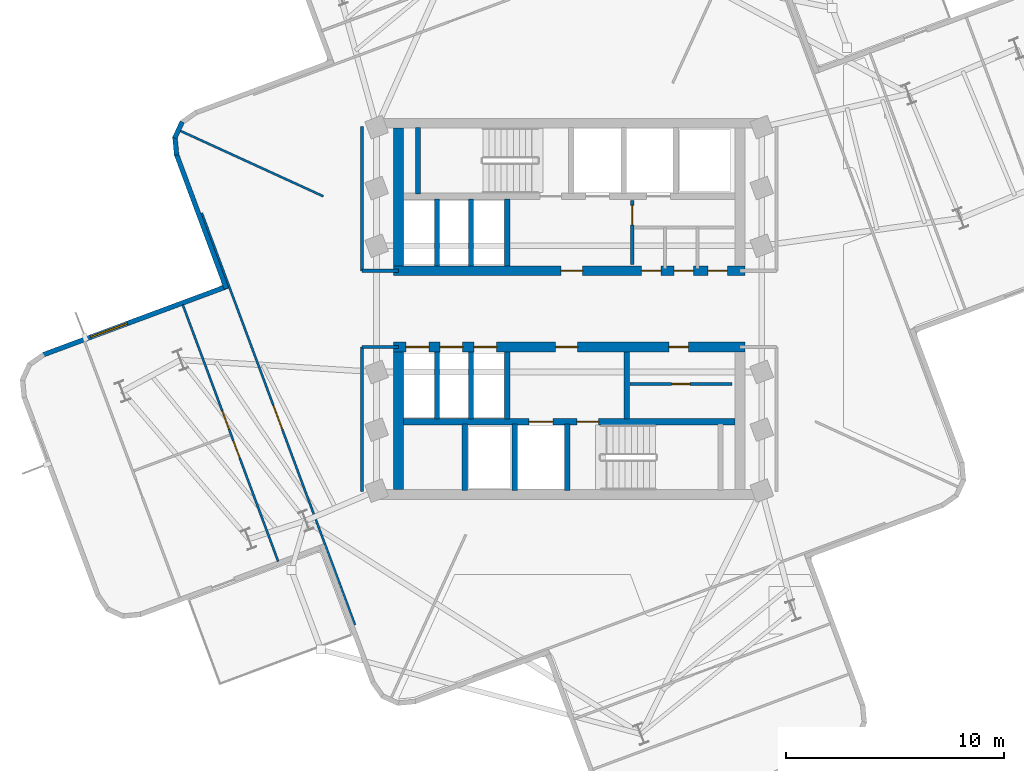
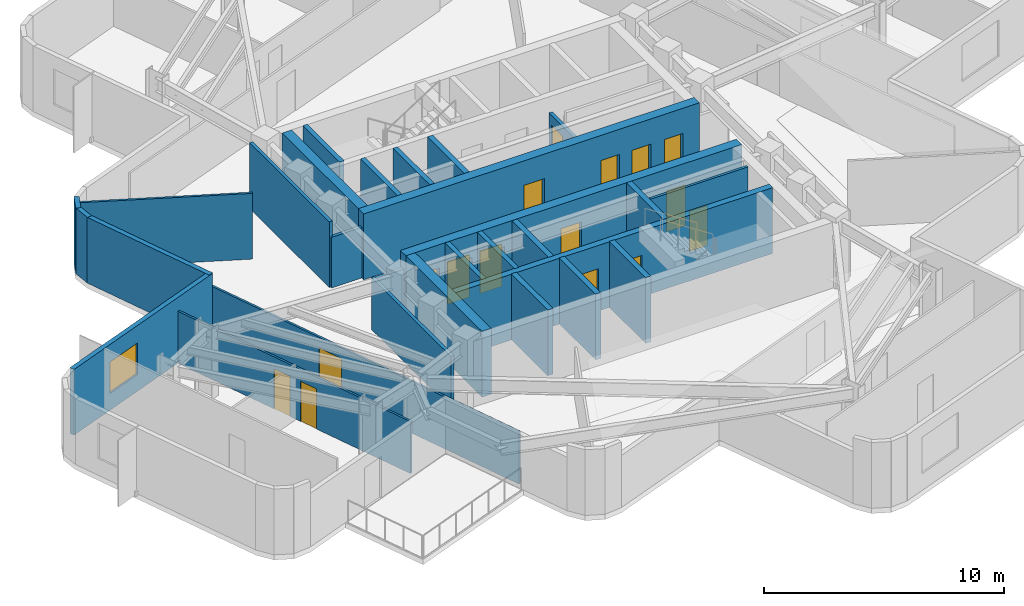
# One storey, part 3 of 8: 29 walls, 16 doors, 1 window, 17 openings.
"""IFC4 building model written with IfcOpenShell, lengths in metres."""

import ifcopenshell
import ifcopenshell.guid

model = None  # the IFC model being written
_history = None  # IfcOwnerHistory: only IFC2X3 demands one
_inside = {}  # id of a spatial element -> (the spatial element, [elements in it])
_under = {}  # id of a project, library or spatial element -> (it, [spatial elements below it])
_declared = {}  # id of a project -> (the project, [libraries it declares])
_typed = {}  # id of a type object -> (the type object, [elements of that type])
_made_of = {}  # id of a material, layer set ... -> (it, [elements and type objects made of it])


def new_model(schema):
    """Start an empty IFC model of exactly this schema.

    Asked for "IFC4X3", IfcOpenShell would pick the latest addendum, in which some entities
    have other attributes; the version numbers below select the first issue.
    IFC2X3 requires an IfcOwnerHistory on every rooted entity: one is made here for all.
    """
    global model, _history
    if schema == "IFC4X3":
        model = ifcopenshell.file(schema_version=(4, 3, 0, 0))
    else:
        model = ifcopenshell.file(schema=schema)
    _inside.clear()
    _under.clear()
    _declared.clear()
    _typed.clear()
    _made_of.clear()
    _history = None
    if model.schema == "IFC2X3":
        org = make("IfcOrganization", Name="unknown")
        user = make(
            "IfcPersonAndOrganization",
            ThePerson=make("IfcPerson", FamilyName="unknown"),
            TheOrganization=org,
        )
        app = make(
            "IfcApplication",
            ApplicationDeveloper=org,
            Version="unknown",
            ApplicationFullName="unknown",
            ApplicationIdentifier="unknown",
        )
        _history = make(
            "IfcOwnerHistory",
            OwningUser=user,
            OwningApplication=app,
            ChangeAction="ADDED",
            CreationDate=0,
        )
    return model


def make(cls, **values):
    """One entity of the class cls with the attributes given. An attribute that is None is left unset."""
    return model.create_entity(
        cls, **{name: value for name, value in values.items() if value is not None}
    )


def rooted(cls, **values):
    """An entity with a GlobalId (a new one), such as an element, a storey or a relation."""
    return make(cls, GlobalId=ifcopenshell.guid.new(), OwnerHistory=_history, **values)


def si_unit(unit_type, name, prefix=None):
    """IfcSIUnit, for example si_unit("LENGTHUNIT", "METRE", prefix="MILLI")."""
    return make("IfcSIUnit", UnitType=unit_type, Prefix=prefix, Name=name)


def assignment(units):
    """IfcUnitAssignment: the units of a project."""
    return None if units is None else make("IfcUnitAssignment", Units=units)


def point(xyz):
    """IfcCartesianPoint."""
    return None if xyz is None else make("IfcCartesianPoint", Coordinates=xyz)


def direction(xyz):
    """IfcDirection."""
    return None if xyz is None else make("IfcDirection", DirectionRatios=xyz)


def frame(location, z_axis=None, x_axis=None):
    """IfcAxis2Placement3D, a coordinate frame: its origin and axes. An axis left out is left unset."""
    return make(
        "IfcAxis2Placement3D",
        Location=point(location),
        Axis=direction(z_axis),
        RefDirection=direction(x_axis),
    )


def frame_2d(location, x_axis=None):
    """IfcAxis2Placement2D, a coordinate frame in the plane: its origin and x axis."""
    return make(
        "IfcAxis2Placement2D", Location=point(location), RefDirection=direction(x_axis)
    )


def origin():
    """The frame at (0, 0, 0) with its axes left unset."""
    return frame((0.0, 0.0, 0.0))


def place(relative_to, where):
    """IfcLocalPlacement: puts the frame where relative to a parent placement (None: the world)."""
    return make(
        "IfcLocalPlacement", PlacementRelTo=relative_to, RelativePlacement=where
    )


def context(
    kind, dimensions, precision=None, world=None, true_north=None, identifier=None
):
    """IfcGeometricRepresentationContext, for example the 3D "Model" context."""
    return make(
        "IfcGeometricRepresentationContext",
        ContextIdentifier=identifier,
        ContextType=kind,
        CoordinateSpaceDimension=dimensions,
        Precision=precision,
        WorldCoordinateSystem=world,
        TrueNorth=true_north,
    )


def subcontext(parent, identifier, kind, view, scale=None):
    """IfcGeometricRepresentationSubContext, for example "Body" below "Model"."""
    return make(
        "IfcGeometricRepresentationSubContext",
        ContextIdentifier=identifier,
        ContextType=kind,
        ParentContext=parent,
        TargetScale=scale,
        TargetView=view,
    )


def project(units=None, contexts=None):
    """IfcProject with its units and contexts."""
    return rooted(
        "IfcProject",
        Name="project",
        RepresentationContexts=contexts,
        UnitsInContext=assignment(units),
    )


def spatial(cls, under=None, at=None, **own):
    """A site, building, storey or space (cls), placed at a placement, below another one or the project."""
    s = rooted(cls, ObjectPlacement=at, **own)
    if under is not None:
        _under.setdefault(under.id(), (under, []))[1].append(s)
    return s


def profile(cls, at=None, kind="AREA", **sizes):
    """A parametric profile (cls). Its sizes go by their IFC names, for example OverallWidth=200.0."""
    return make(cls, ProfileType=kind, Position=at, **sizes)


def rectangle(**sizes):
    """IfcRectangleProfileDef."""
    return profile("IfcRectangleProfileDef", **sizes)


def extrude(swept, where, along, depth):
    """IfcExtrudedAreaSolid: the profile swept, set in the frame where, extruded along a direction by depth."""
    return make(
        "IfcExtrudedAreaSolid",
        SweptArea=swept,
        Position=where,
        ExtrudedDirection=direction(along),
        Depth=depth,
    )


def shape(context_of_items, identifier, shape_type, items):
    """IfcShapeRepresentation: the items that make up one representation, for example the "Body"."""
    return make(
        "IfcShapeRepresentation",
        ContextOfItems=context_of_items,
        RepresentationIdentifier=identifier,
        RepresentationType=shape_type,
        Items=items,
    )


def material(Name=None, Category=None):
    """IfcMaterial."""
    return make("IfcMaterial", Name=Name, Category=Category)


def layer(
    of_material, thickness, ventilated=None, Name=None, Category=None, Priority=None
):
    """IfcMaterialLayer: one layer of a wall or slab, of a material (None: an air gap)."""
    return make(
        "IfcMaterialLayer",
        Material=of_material,
        LayerThickness=thickness,
        IsVentilated=ventilated,
        Name=Name,
        Category=Category,
        Priority=Priority,
    )


def layer_set(layers, Name=None):
    """IfcMaterialLayerSet."""
    return make("IfcMaterialLayerSet", MaterialLayers=layers, LayerSetName=Name)


def made_of(thing, what):
    """Note that an element or type object is made of a material, layer set ...; save() writes the relation."""
    if what is not None:
        _made_of.setdefault(what.id(), (what, []))[1].append(thing)
    return thing


def type_object(cls, material=None, **own):
    """A type object (cls), such as IfcWallType, which elements share."""
    return made_of(rooted(cls, **own), material)


def element(
    cls,
    number,
    at=None,
    inside=None,
    cuts=None,
    type_object=None,
    material=None,
    context=None,
    identifier="Body",
    shape_type=None,
    held_by="IfcProductDefinitionShape",
    body=None,
    shapes=None,
    **own,
):
    """One element of the class cls, such as IfcWall. Its Tag is "e" and its number.

    at: its placement. inside: the storey or other place that contains it. cuts: it is an
    opening in that element (IfcRelVoidsElement). A single representation is given by context,
    identifier, shape_type and body (its items); several are given by shapes. held_by: the class
    of the entity that holds the representations. save() writes the other relations.
    """
    e = rooted(cls, Tag="e%d" % number, ObjectPlacement=at, **own)
    if body is not None:
        shapes = [shape(context, identifier, shape_type, body)]
    if shapes is not None:
        e.Representation = make(held_by, Representations=shapes)
    if inside is not None:
        _inside.setdefault(inside.id(), (inside, []))[1].append(e)
    if cuts is not None:
        rooted(
            "IfcRelVoidsElement", RelatingBuildingElement=cuts, RelatedOpeningElement=e
        )
    if type_object is not None:
        _typed.setdefault(type_object.id(), (type_object, []))[1].append(e)
    return made_of(e, material)


def fill(opening, filler):
    """IfcRelFillsElement: the door or window that sits in an opening."""
    return rooted(
        "IfcRelFillsElement",
        RelatingOpeningElement=opening,
        RelatedBuildingElement=filler,
    )


def aggregate(whole, parts):
    """IfcRelAggregates: a whole, such as a stair, and the parts it consists of."""
    return rooted("IfcRelAggregates", RelatingObject=whole, RelatedObjects=parts)


def save(model, path):
    """Write the relations noted so far, then the file.

    IfcRelAggregates (storeys below a building ...), IfcRelContainedInSpatialStructure (elements
    in a storey), IfcRelDefinesByType, IfcRelAssociatesMaterial and IfcRelDeclares: one each for
    every whole, place, type object, material and project.
    """
    for whole, parts in _under.values():
        aggregate(whole, parts)
    for where, things in _inside.values():
        rooted(
            "IfcRelContainedInSpatialStructure",
            RelatedElements=things,
            RelatingStructure=where,
        )
    for kind, things in _typed.values():
        rooted("IfcRelDefinesByType", RelatedObjects=things, RelatingType=kind)
    for what, things in _made_of.values():
        rooted("IfcRelAssociatesMaterial", RelatedObjects=things, RelatingMaterial=what)
    for by, libraries in _declared.values():
        rooted("IfcRelDeclares", RelatingContext=by, RelatedDefinitions=libraries)
    model.write(path)


model = new_model("IFC4")

# Units and contexts
model_context = context("Model", 3, precision=1e-05, world=origin(), true_north=direction((0.0, 1.0)))
body_context = subcontext(model_context, "Body", "Model", "MODEL_VIEW")
ifc_project = project(units=[si_unit("LENGTHUNIT", "METRE"), si_unit("AREAUNIT", "SQUARE_METRE"), si_unit("VOLUMEUNIT", "CUBIC_METRE"), si_unit("PLANEANGLEUNIT", "RADIAN"), si_unit("MASSUNIT", "GRAM", prefix="KILO")], contexts=[model_context])

# Site, building, storey
site_placement = place(None, origin())
site = spatial("IfcSite", under=ifc_project, at=site_placement, CompositionType="ELEMENT")
building_placement = place(site_placement, origin())
building = spatial("IfcBuilding", under=site, at=building_placement, Name="Solmarez Civic Tower", CompositionType="ELEMENT")
storey_placement = place(building_placement, frame((0.0, 0.0, 166.679931640625)))
storey = spatial("IfcBuildingStorey", under=building, at=storey_placement, Name="L44", CompositionType="ELEMENT", Elevation=166.679931640625)

# Wall, openings, doors
ifc_material_1 = material(Name="Concrete C50/60", Category="concrete")
ifc_layer_1 = layer(ifc_material_1, 0.449951171875)
ifc_layer_set_1 = layer_set([ifc_layer_1], Name="Concrete C50/60")
wall_type_1 = type_object("IfcWallType", Name="WALL-CORE-450", PredefinedType="SHEAR", material=ifc_layer_set_1)
wall_1_placement = place(storey_placement, frame((8.070068359375, 1.75, 0.0), z_axis=(0.0, 0.0, 1.0), x_axis=(-1.0, 0.0, 0.0)))
wall_1 = element("IfcWall", 1, at=wall_1_placement, inside=storey, type_object=wall_type_1, Name="L44 Split-Core Structural Wall NCW-S-L44", PredefinedType="SHEAR", context=body_context, shape_type="SweptSolid", body=[
    extrude(rectangle(XDim=16.14013671875, YDim=0.449951171875, at=frame_2d((8.070068359375, 0.0))), origin(), (0.0, 0.0, 1.0), 3.340087890625),
])
opening_1_placement = place(wall_1_placement, frame((7.449951171875, 0.0, 0.0)))
opening_1 = element("IfcOpeningElement", 2, at=opening_1_placement, cuts=wall_1, Name="Opening D-04", PredefinedType="OPENING", context=body_context, shape_type="SweptSolid", body=[
    extrude(rectangle(XDim=1.0, YDim=2.10009765625, at=frame_2d((0.5, 1.050048828125))), frame((0.0, 0.23486328125, 0.0), z_axis=(0.0, -1.0, 0.0), x_axis=(1.0, 0.0, 0.0)), (0.0, 0.0, 1.0), 0.469970703125),
])
opening_2_placement = place(wall_1_placement, frame((3.85009765625, 0.0, 0.0)))
opening_2 = element("IfcOpeningElement", 3, at=opening_2_placement, cuts=wall_1, Name="Opening D-09", PredefinedType="OPENING", context=body_context, shape_type="SweptSolid", body=[
    extrude(rectangle(XDim=0.89990234375, YDim=2.06005859375, at=frame_2d((0.449951171875, 1.030029296875))), frame((0.0, 0.23486328125, 0.0), z_axis=(0.0, -1.0, 0.0), x_axis=(1.0, 0.0, 0.0)), (0.0, 0.0, 1.0), 0.469970703125),
])
opening_3_placement = place(wall_1_placement, frame((2.35009765625, 0.0, 0.0)))
opening_3 = element("IfcOpeningElement", 4, at=opening_3_placement, cuts=wall_1, Name="Opening D-09", PredefinedType="OPENING", context=body_context, shape_type="SweptSolid", body=[
    extrude(rectangle(XDim=0.89990234375, YDim=2.06005859375, at=frame_2d((0.449951171875, 1.030029296875))), frame((0.0, 0.23486328125, 0.0), z_axis=(0.0, -1.0, 0.0), x_axis=(1.0, 0.0, 0.0)), (0.0, 0.0, 1.0), 0.469970703125),
])
opening_4_placement = place(wall_1_placement, frame((0.800048828125, 0.0, 0.0)))
opening_4 = element("IfcOpeningElement", 5, at=opening_4_placement, cuts=wall_1, Name="Opening D-09", PredefinedType="OPENING", context=body_context, shape_type="SweptSolid", body=[
    extrude(rectangle(XDim=0.89990234375, YDim=2.06005859375, at=frame_2d((0.449951171875, 1.030029296875))), frame((0.0, 0.23486328125, 0.0), z_axis=(0.0, -1.0, 0.0), x_axis=(1.0, 0.0, 0.0)), (0.0, 0.0, 1.0), 0.469970703125),
])
ifc_material_2 = material(Name="Steel-Faced Acoustic Fire Door", Category="steel")
door_type_1 = type_object("IfcDoorType", Name="DOOR-FD60-1000", OperationType="NOTDEFINED", PredefinedType="DOOR", material=ifc_material_2)
door_1_placement = place(opening_1_placement, origin())
door_1 = element("IfcDoor", 6, at=door_1_placement, inside=storey, type_object=door_type_1, Name="L44 North Firefighting Lobby Door", OperationType="SINGLE_SWING_LEFT", OverallHeight=2.10009765625, OverallWidth=1.0, PredefinedType="DOOR", context=body_context, shape_type="SweptSolid", body=[
    extrude(rectangle(XDim=1.0, YDim=2.10009765625, at=frame_2d((0.5, 1.050048828125))), frame((0.0, 0.02490234375, 0.0), z_axis=(0.0, -1.0, 0.0), x_axis=(1.0, 0.0, 0.0)), (0.0, 0.0, 1.0), 0.050048828125),
])
fill(opening_1, door_1)
ifc_material_3 = material(Name="Fire-Rated Service Core Door", Category="wood")
door_type_2 = type_object("IfcDoorType", Name="DOOR-FD60-900", OperationType="NOTDEFINED", PredefinedType="DOOR", material=ifc_material_3)
door_2_placement = place(opening_2_placement, origin())
door_2 = element("IfcDoor", 7, at=door_2_placement, inside=storey, type_object=door_type_2, Name="L44 Core WC Door", OperationType="SINGLE_SWING_RIGHT", OverallHeight=2.06005859375, OverallWidth=0.89990234375, PredefinedType="DOOR", context=body_context, shape_type="SweptSolid", body=[
    extrude(rectangle(XDim=0.89990234375, YDim=2.06005859375, at=frame_2d((0.449951171875, 1.030029296875))), frame((0.0, 0.02490234375, 0.0), z_axis=(0.0, -1.0, 0.0), x_axis=(1.0, 0.0, 0.0)), (0.0, 0.0, 1.0), 0.050048828125),
])
fill(opening_2, door_2)
door_3_placement = place(opening_3_placement, origin())
door_3 = element("IfcDoor", 8, at=door_3_placement, inside=storey, type_object=door_type_2, Name="L44 Core CL Door", OperationType="SINGLE_SWING_LEFT", OverallHeight=2.06005859375, OverallWidth=0.89990234375, PredefinedType="DOOR", context=body_context, shape_type="SweptSolid", body=[
    extrude(rectangle(XDim=0.89990234375, YDim=2.06005859375, at=frame_2d((0.449951171875, 1.030029296875))), frame((0.0, 0.02490234375, 0.0), z_axis=(0.0, -1.0, 0.0), x_axis=(1.0, 0.0, 0.0)), (0.0, 0.0, 1.0), 0.050048828125),
])
fill(opening_3, door_3)
door_4_placement = place(opening_4_placement, origin())
door_4 = element("IfcDoor", 9, at=door_4_placement, inside=storey, type_object=door_type_2, Name="L44 Core IT Door", OperationType="SINGLE_SWING_LEFT", OverallHeight=2.06005859375, OverallWidth=0.89990234375, PredefinedType="DOOR", context=body_context, shape_type="SweptSolid", body=[
    extrude(rectangle(XDim=0.89990234375, YDim=2.06005859375, at=frame_2d((0.449951171875, 1.030029296875))), frame((0.0, 0.02490234375, 0.0), z_axis=(0.0, -1.0, 0.0), x_axis=(1.0, 0.0, 0.0)), (0.0, 0.0, 1.0), 0.050048828125),
])
fill(opening_4, door_4)

# Wall
wall_2_placement = place(storey_placement, frame((-7.844970703125, 1.97509765625, 0.0), z_axis=(0.0, 0.0, 1.0), x_axis=(0.0, 1.0, 0.0)))
element("IfcWall", 10, at=wall_2_placement, inside=storey, type_object=wall_type_1, Name="L44 Split-Core Structural Wall NCW-W-L44", PredefinedType="SHEAR", context=body_context, shape_type="SweptSolid", body=[
    extrude(rectangle(XDim=6.3349609375, YDim=0.449951171875, at=frame_2d((3.16748046875, 0.0))), origin(), (0.0, 0.0, 1.0), 3.340087890625),
])

# Wall, openings, doors
wall_3_placement = place(storey_placement, frame((-8.070068359375, -1.75, 0.0), z_axis=(0.0, 0.0, 1.0), x_axis=(1.0, 0.0, 0.0)))
wall_3 = element("IfcWall", 11, at=wall_3_placement, inside=storey, type_object=wall_type_1, Name="L44 Split-Core Structural Wall SCW-N-L44", PredefinedType="SHEAR", context=body_context, shape_type="SweptSolid", body=[
    extrude(rectangle(XDim=16.14013671875, YDim=0.449951171875, at=frame_2d((8.070068359375, 0.0))), origin(), (0.0, 0.0, 1.0), 3.340087890625),
])
opening_5_placement = place(wall_3_placement, frame((7.449951171875, 0.0, 0.0)))
opening_5 = element("IfcOpeningElement", 12, at=opening_5_placement, cuts=wall_3, Name="Opening D-04", PredefinedType="OPENING", context=body_context, shape_type="SweptSolid", body=[
    extrude(rectangle(XDim=1.0, YDim=2.10009765625, at=frame_2d((0.5, 1.050048828125))), frame((0.0, 0.23486328125, 0.0), z_axis=(0.0, -1.0, 0.0), x_axis=(1.0, 0.0, 0.0)), (0.0, 0.0, 1.0), 0.469970703125),
])
opening_6_placement = place(wall_3_placement, frame((12.64990234375, 0.0, 0.0)))
opening_6 = element("IfcOpeningElement", 13, at=opening_6_placement, cuts=wall_3, Name="Opening D-09", PredefinedType="OPENING", context=body_context, shape_type="SweptSolid", body=[
    extrude(rectangle(XDim=0.89990234375, YDim=2.06005859375, at=frame_2d((0.449951171875, 1.030029296875))), frame((0.0, 0.23486328125, 0.0), z_axis=(0.0, -1.0, 0.0), x_axis=(1.0, 0.0, 0.0)), (0.0, 0.0, 1.0), 0.469970703125),
])
opening_7_placement = place(wall_3_placement, frame((0.56494140625, 0.0, 0.0)))
opening_7 = element("IfcOpeningElement", 14, at=opening_7_placement, cuts=wall_3, Name="Opening LD-01", PredefinedType="OPENING", context=body_context, shape_type="SweptSolid", body=[
    extrude(rectangle(XDim=1.050048828125, YDim=2.14990234375, at=frame_2d((0.52490234375, 1.074951171875))), frame((0.0, 0.23486328125, 0.0), z_axis=(0.0, -1.0, 0.0), x_axis=(1.0, 0.0, 0.0)), (0.0, 0.0, 1.0), 0.469970703125),
])
opening_8_placement = place(wall_3_placement, frame((2.125, 0.0, 0.0)))
opening_8 = element("IfcOpeningElement", 15, at=opening_8_placement, cuts=wall_3, Name="Opening LD-01", PredefinedType="OPENING", context=body_context, shape_type="SweptSolid", body=[
    extrude(rectangle(XDim=1.050048828125, YDim=2.14990234375, at=frame_2d((0.52490234375, 1.074951171875))), frame((0.0, 0.23486328125, 0.0), z_axis=(0.0, -1.0, 0.0), x_axis=(1.0, 0.0, 0.0)), (0.0, 0.0, 1.0), 0.469970703125),
])
opening_9_placement = place(wall_3_placement, frame((3.68505859375, 0.0, 0.0)))
opening_9 = element("IfcOpeningElement", 16, at=opening_9_placement, cuts=wall_3, Name="Opening LD-01", PredefinedType="OPENING", context=body_context, shape_type="SweptSolid", body=[
    extrude(rectangle(XDim=1.050048828125, YDim=2.14990234375, at=frame_2d((0.52490234375, 1.074951171875))), frame((0.0, 0.23486328125, 0.0), z_axis=(0.0, -1.0, 0.0), x_axis=(1.0, 0.0, 0.0)), (0.0, 0.0, 1.0), 0.469970703125),
])
door_5_placement = place(opening_5_placement, origin())
door_5 = element("IfcDoor", 17, at=door_5_placement, inside=storey, type_object=door_type_1, Name="L44 South Firefighting Lobby Door", OperationType="SINGLE_SWING_RIGHT", OverallHeight=2.10009765625, OverallWidth=1.0, PredefinedType="DOOR", context=body_context, shape_type="SweptSolid", body=[
    extrude(rectangle(XDim=1.0, YDim=2.10009765625, at=frame_2d((0.5, 1.050048828125))), frame((0.0, 0.02490234375, 0.0), z_axis=(0.0, -1.0, 0.0), x_axis=(1.0, 0.0, 0.0)), (0.0, 0.0, 1.0), 0.050048828125),
])
fill(opening_5, door_5)
door_6_placement = place(opening_6_placement, origin())
door_6 = element("IfcDoor", 18, at=door_6_placement, inside=storey, type_object=door_type_2, Name="L44 Freed Hoistway Mailroom Door", OperationType="SINGLE_SWING_LEFT", OverallHeight=2.06005859375, OverallWidth=0.89990234375, PredefinedType="DOOR", context=body_context, shape_type="SweptSolid", body=[
    extrude(rectangle(XDim=0.89990234375, YDim=2.06005859375, at=frame_2d((0.449951171875, 1.030029296875))), frame((0.0, 0.02490234375, 0.0), z_axis=(0.0, -1.0, 0.0), x_axis=(1.0, 0.0, 0.0)), (0.0, 0.0, 1.0), 0.050048828125),
])
fill(opening_6, door_6)
ifc_material_4 = material(Name="Bronze Passenger Lift Landing Sliding Door", Category="aluminium")
door_type_3 = type_object("IfcDoorType", Name="DOOR-LD-PAX-1050", OperationType="DOUBLE_DOOR_SLIDING", PredefinedType="DOOR", material=ifc_material_4)
door_7_placement = place(opening_7_placement, origin())
door_7 = element("IfcDoor", 19, at=door_7_placement, inside=storey, type_object=door_type_3, Name="L44 Mid-Rise Lift Landing Door PL-M1", OperationType="DOUBLE_DOOR_SLIDING", OverallHeight=2.14990234375, OverallWidth=1.050048828125, PredefinedType="DOOR", context=body_context, shape_type="SweptSolid", body=[
    extrude(rectangle(XDim=1.050048828125, YDim=2.14990234375, at=frame_2d((0.52490234375, 1.074951171875))), frame((0.0, 0.02490234375, 0.0), z_axis=(0.0, -1.0, 0.0), x_axis=(1.0, 0.0, 0.0)), (0.0, 0.0, 1.0), 0.050048828125),
])
fill(opening_7, door_7)
door_8_placement = place(opening_8_placement, origin())
door_8 = element("IfcDoor", 20, at=door_8_placement, inside=storey, type_object=door_type_3, Name="L44 Mid-Rise Lift Landing Door PL-M2", OperationType="DOUBLE_DOOR_SLIDING", OverallHeight=2.14990234375, OverallWidth=1.050048828125, PredefinedType="DOOR", context=body_context, shape_type="SweptSolid", body=[
    extrude(rectangle(XDim=1.050048828125, YDim=2.14990234375, at=frame_2d((0.52490234375, 1.074951171875))), frame((0.0, 0.02490234375, 0.0), z_axis=(0.0, -1.0, 0.0), x_axis=(1.0, 0.0, 0.0)), (0.0, 0.0, 1.0), 0.050048828125),
])
fill(opening_8, door_8)
door_9_placement = place(opening_9_placement, origin())
door_9 = element("IfcDoor", 21, at=door_9_placement, inside=storey, type_object=door_type_3, Name="L44 Mid-Rise Lift Landing Door PL-M3", OperationType="DOUBLE_DOOR_SLIDING", OverallHeight=2.14990234375, OverallWidth=1.050048828125, PredefinedType="DOOR", context=body_context, shape_type="SweptSolid", body=[
    extrude(rectangle(XDim=1.050048828125, YDim=2.14990234375, at=frame_2d((0.52490234375, 1.074951171875))), frame((0.0, 0.02490234375, 0.0), z_axis=(0.0, -1.0, 0.0), x_axis=(1.0, 0.0, 0.0)), (0.0, 0.0, 1.0), 0.050048828125),
])
fill(opening_9, door_9)

# Wall
wall_4_placement = place(storey_placement, frame((-7.844970703125, -8.31005859375, 0.0), z_axis=(0.0, 0.0, 1.0), x_axis=(0.0, 1.0, 0.0)))
element("IfcWall", 22, at=wall_4_placement, inside=storey, type_object=wall_type_1, Name="L44 Split-Core Structural Wall SCW-W-L44", PredefinedType="SHEAR", context=body_context, shape_type="SweptSolid", body=[
    extrude(rectangle(XDim=6.3349609375, YDim=0.449951171875, at=frame_2d((3.16748046875, 0.0))), origin(), (0.0, 0.0, 1.0), 3.340087890625),
])

# Wall, opening, window
ifc_material_5 = material(Name="Precast concrete C40/50", Category="concrete")
ifc_layer_2 = layer(ifc_material_5, 0.219970703125)
ifc_layer_set_2 = layer_set([ifc_layer_2], Name="Precast concrete C40/50")
wall_type_2 = type_object("IfcWallType", Name="WALL-EXT-220", PredefinedType="SOLIDWALL", material=ifc_layer_set_2)
wall_5_placement = place(storey_placement, frame((-24.18994140625, -2.114990234375, 0.0), z_axis=(0.0, 0.0, 1.0), x_axis=(0.937261793021, 0.34862634918, 0.0)))
wall_5 = element("IfcWall", 23, at=wall_5_placement, inside=storey, type_object=wall_type_2, Name="L44 Exterior Precast Wall 10", PredefinedType="SOLIDWALL", context=body_context, shape_type="SweptSolid", body=[
    extrude(rectangle(XDim=9.058349609375, YDim=0.219970703125, at=frame_2d((4.529296875, 0.0))), origin(), (0.0, 0.0, 1.0), 3.340087890625),
])
opening_10_placement = place(wall_5_placement, frame((2.35009765625, 0.0, 0.85009765625)))
opening_10 = element("IfcOpeningElement", 24, at=opening_10_placement, cuts=wall_5, Name="Opening W-12", PredefinedType="OPENING", context=body_context, shape_type="SweptSolid", body=[
    extrude(rectangle(XDim=1.800048828125, YDim=1.60009765625, at=frame_2d((0.89990234375, 0.800048828125))), frame((0.0, 0.119873046875, 0.0), z_axis=(0.0, -1.0, 0.0), x_axis=(1.0, 0.0, 0.0)), (0.0, 0.0, 1.0), 0.239990234375),
])
ifc_material_6 = material(Name="Solar Control Bronze-Tinted Insulating Glass", Category="glass")
window_type = type_object("IfcWindowType", Name="WIN-1800X1600", PartitioningType="SINGLE_PANEL", PredefinedType="WINDOW", material=ifc_material_6)
window_placement = place(opening_10_placement, origin())
window = element("IfcWindow", 25, at=window_placement, inside=storey, type_object=window_type, Name="L44 Exterior Facade Window 10", OverallHeight=1.60009765625, OverallWidth=1.800048828125, PartitioningType="SINGLE_PANEL", PredefinedType="WINDOW", context=body_context, shape_type="SweptSolid", body=[
    extrude(rectangle(XDim=1.800048828125, YDim=1.60009765625, at=frame_2d((0.89990234375, 0.800048828125))), frame((0.0, 0.030029296875, 0.0), z_axis=(0.0, -1.0, 0.0), x_axis=(1.0, 0.0, 0.0)), (0.0, 0.0, 1.0), 0.06005859375),
])
fill(opening_10, window)

# Walls
wall_6_placement = place(storey_placement, frame((-15.7509765625, 0.929931640625, 0.0), z_axis=(0.0, 0.0, 1.0), x_axis=(-0.348729932868, 0.937223257246, 0.0)))
element("IfcWall", 26, at=wall_6_placement, inside=storey, type_object=wall_type_2, Name="L44 Exterior Precast Wall 13", PredefinedType="SOLIDWALL", context=body_context, shape_type="SweptSolid", body=[
    extrude(rectangle(XDim=6.598388671875, YDim=0.219970703125, at=frame_2d((3.29931640625, 0.0))), origin(), (0.0, 0.0, 1.0), 3.340087890625),
])
wall_7_placement = place(storey_placement, frame((-18.041015625, 7.06591796875, 0.0), z_axis=(0.0, 0.0, 1.0), x_axis=(-0.09330446586, 0.995637623159, 0.0)))
element("IfcWall", 27, at=wall_7_placement, inside=storey, type_object=wall_type_2, Name="L44 Exterior Precast Wall 14", PredefinedType="SOLIDWALL", context=body_context, shape_type="SweptSolid", body=[
    extrude(rectangle(XDim=0.834716796875, YDim=0.219970703125, at=frame_2d((0.41748046875, 0.0))), origin(), (0.0, 0.0, 1.0), 3.340087890625),
])
wall_8_placement = place(storey_placement, frame((-18.126953125, 7.84912109375, 0.0), z_axis=(0.0, 0.0, 1.0), x_axis=(0.415083126143, 0.909783489843, 0.0)))
element("IfcWall", 28, at=wall_8_placement, inside=storey, type_object=wall_type_2, Name="L44 Exterior Precast Wall 15", PredefinedType="SOLIDWALL", context=body_context, shape_type="SweptSolid", body=[
    extrude(rectangle(XDim=0.81884765625, YDim=0.219970703125, at=frame_2d((0.409423828125, 0.0))), origin(), (0.0, 0.0, 1.0), 3.340087890625),
])
ifc_material_7 = material(Name="Gypsum Board Acoustic Steel-Stud Partition", Category="steel")
ifc_layer_3 = layer(ifc_material_7, 0.14990234375)
ifc_layer_set_3 = layer_set([ifc_layer_3], Name="Gypsum Board Acoustic Steel-Stud Partition")
wall_type_3 = type_object("IfcWallType", Name="WALL-INT-FIRE-150", PredefinedType="PARTITIONING", material=ifc_layer_set_3)
wall_9_placement = place(storey_placement, frame((-9.52001953125, 1.75, 0.0), z_axis=(0.0, 0.0, 1.0), x_axis=(0.0, 1.0, 0.0)))
element("IfcWall", 29, at=wall_9_placement, inside=storey, type_object=wall_type_3, Name="L44 Interior Partition CHW-L44-WN1", PredefinedType="PARTITIONING", context=body_context, shape_type="SweptSolid", body=[
    extrude(rectangle(XDim=6.6298828125, YDim=0.14990234375, at=frame_2d((3.31494140625, 0.0))), origin(), (0.0, 0.0, 1.0), 3.340087890625),
])
wall_10_placement = place(storey_placement, frame((-7.85009765625, 1.75, 0.0), z_axis=(0.0, 0.0, 1.0), x_axis=(-1.0, 0.0, 0.0)))
element("IfcWall", 30, at=wall_10_placement, inside=storey, type_object=wall_type_3, Name="L44 Interior Partition CHW-L44-WN3", PredefinedType="PARTITIONING", context=body_context, shape_type="SweptSolid", body=[
    extrude(rectangle(XDim=1.669921875, YDim=0.14990234375, at=frame_2d((0.8349609375, 0.0))), origin(), (0.0, 0.0, 1.0), 2.570068359375),
])
wall_11_placement = place(storey_placement, frame((-9.52001953125, -8.3798828125, 0.0), z_axis=(0.0, 0.0, 1.0), x_axis=(0.0, 1.0, 0.0)))
element("IfcWall", 31, at=wall_11_placement, inside=storey, type_object=wall_type_3, Name="L44 Interior Partition CHW-L44-WS1", PredefinedType="PARTITIONING", context=body_context, shape_type="SweptSolid", body=[
    extrude(rectangle(XDim=6.6298828125, YDim=0.14990234375, at=frame_2d((3.31494140625, 0.0))), origin(), (0.0, 0.0, 1.0), 2.64404296875),
])
wall_12_placement = place(storey_placement, frame((-7.85009765625, -1.75, 0.0), z_axis=(0.0, 0.0, 1.0), x_axis=(-1.0, 0.0, 0.0)))
element("IfcWall", 32, at=wall_12_placement, inside=storey, type_object=wall_type_3, Name="L44 Interior Partition CHW-L44-WS3", PredefinedType="PARTITIONING", context=body_context, shape_type="SweptSolid", body=[
    extrude(rectangle(XDim=1.669921875, YDim=0.14990234375, at=frame_2d((0.8349609375, 0.0))), origin(), (0.0, 0.0, 1.0), 2.570068359375),
])
ifc_layer_4 = layer(ifc_material_7, 0.10009765625)
ifc_layer_set_4 = layer_set([ifc_layer_4], Name="Gypsum Board Acoustic Steel-Stud Partition")
wall_type_4 = type_object("IfcWallType", Name="WALL-INT-PART-100", PredefinedType="PARTITIONING", material=ifc_layer_set_4)
wall_13_placement = place(storey_placement, frame((-11.300048828125, 5.174072265625, 0.0), z_axis=(0.0, 0.0, 1.0), x_axis=(-0.909275268701, 0.416195249528, 0.0)))
element("IfcWall", 33, at=wall_13_placement, inside=storey, type_object=wall_type_4, Name="L44 Interior Partition PT-L44-QDIV-2", PredefinedType="PARTITIONING", context=body_context, shape_type="SweptSolid", body=[
    extrude(rectangle(XDim=7.246337890625, YDim=0.10009765625, at=frame_2d((3.623046875, 0.0))), origin(), (0.0, 0.0, 1.0), 3.340087890625),
])

# Wall, opening, door
wall_14_placement = place(storey_placement, frame((-9.845947265625, -14.52197265625, 0.0), z_axis=(0.0, 0.0, 1.0), x_axis=(-0.348543090668, 0.937292757866, 0.0)))
wall_14 = element("IfcWall", 34, at=wall_14_placement, inside=storey, type_object=wall_type_4, Name="L44 Interior Partition PT-L44-W-ENT", PredefinedType="PARTITIONING", context=body_context, shape_type="SweptSolid", body=[
    extrude(rectangle(XDim=20.198486328125, YDim=0.10009765625, at=frame_2d((10.09912109375, 0.0))), origin(), (0.0, 0.0, 1.0), 2.64404296875),
])
opening_11_placement = place(wall_14_placement, frame((9.5791015625, 0.0, 0.0)))
opening_11 = element("IfcOpeningElement", 35, at=opening_11_placement, cuts=wall_14, Name="Opening D-11", PredefinedType="OPENING", context=body_context, shape_type="SweptSolid", body=[
    extrude(rectangle(XDim=1.199951171875, YDim=2.10009765625, at=frame_2d((0.60009765625, 1.050048828125))), frame((0.0, 0.06005859375, 0.0), z_axis=(0.0, -1.0, 0.0), x_axis=(1.0, 0.0, 0.0)), (0.0, 0.0, 1.0), 0.1201171875),
])
ifc_material_8 = material(Name="Glazed-Vision Acoustic Chamber Door", Category="wood")
door_type_4 = type_object("IfcDoorType", Name="DOOR-INT-1200", OperationType="NOTDEFINED", PredefinedType="DOOR", material=ifc_material_8)
door_10_placement = place(opening_11_placement, origin())
door_10 = element("IfcDoor", 36, at=door_10_placement, inside=storey, type_object=door_type_4, Name="L44 Municipal Mailroom First West Door", OperationType="SINGLE_SWING_LEFT", OverallHeight=2.10009765625, OverallWidth=1.199951171875, PredefinedType="DOOR", context=body_context, shape_type="SweptSolid", body=[
    extrude(rectangle(XDim=1.199951171875, YDim=2.10009765625, at=frame_2d((0.60009765625, 1.050048828125))), frame((0.0, 0.02490234375, 0.0), z_axis=(0.0, -1.0, 0.0), x_axis=(1.0, 0.0, 0.0)), (0.0, 0.0, 1.0), 0.050048828125),
])
fill(opening_11, door_10)

# Wall, openings, doors
wall_15_placement = place(storey_placement, frame((-17.761962890625, 0.196044921875, 0.0), z_axis=(0.0, 0.0, 1.0), x_axis=(0.348514653153, -0.937303332192, 0.0)))
wall_15 = element("IfcWall", 37, at=wall_15_placement, inside=storey, type_object=wall_type_4, Name="L44 Interior Partition PT-L44-W-S1", PredefinedType="PARTITIONING", context=body_context, shape_type="SweptSolid", body=[
    extrude(rectangle(XDim=12.59033203125, YDim=0.10009765625, at=frame_2d((6.295166015625, 0.0))), origin(), (0.0, 0.0, 1.0), 2.64404296875),
])
opening_12_placement = place(wall_15_placement, frame((5.22509765625, 0.0, 0.0)))
opening_12 = element("IfcOpeningElement", 38, at=opening_12_placement, cuts=wall_15, Name="Opening D-14", PredefinedType="OPENING", context=body_context, shape_type="SweptSolid", body=[
    extrude(rectangle(XDim=0.860107421875, YDim=2.0400390625, at=frame_2d((0.43017578125, 1.02001953125))), frame((0.0, 0.06005859375, 0.0), z_axis=(0.0, -1.0, 0.0), x_axis=(1.0, 0.0, 0.0)), (0.0, 0.0, 1.0), 0.1201171875),
])
opening_13_placement = place(wall_15_placement, frame((6.6650390625, 0.0, 0.0)))
opening_13 = element("IfcOpeningElement", 39, at=opening_13_placement, cuts=wall_15, Name="Opening D-14", PredefinedType="OPENING", context=body_context, shape_type="SweptSolid", body=[
    extrude(rectangle(XDim=0.860107421875, YDim=2.0400390625, at=frame_2d((0.43017578125, 1.02001953125))), frame((0.0, 0.06005859375, 0.0), z_axis=(0.0, -1.0, 0.0), x_axis=(1.0, 0.0, 0.0)), (0.0, 0.0, 1.0), 0.1201171875),
])
ifc_material_9 = material(Name="Timber Storage and Pantry Door", Category="wood")
door_type_5 = type_object("IfcDoorType", Name="DOOR-INT-850", OperationType="NOTDEFINED", PredefinedType="DOOR", material=ifc_material_9)
door_11_placement = place(opening_12_placement, origin())
door_11 = element("IfcDoor", 40, at=door_11_placement, inside=storey, type_object=door_type_5, Name="L44 Co-Working Policy Workspace Third West Door", OperationType="SINGLE_SWING_RIGHT", OverallHeight=2.0400390625, OverallWidth=0.860107421875, PredefinedType="DOOR", context=body_context, shape_type="SweptSolid", body=[
    extrude(rectangle(XDim=0.860107421875, YDim=2.0400390625, at=frame_2d((0.43017578125, 1.02001953125))), frame((0.0, 0.02490234375, 0.0), z_axis=(0.0, -1.0, 0.0), x_axis=(1.0, 0.0, 0.0)), (0.0, 0.0, 1.0), 0.050048828125),
])
fill(opening_12, door_11)
door_12_placement = place(opening_13_placement, origin())
door_12 = element("IfcDoor", 41, at=door_12_placement, inside=storey, type_object=door_type_5, Name="L44 Staff Tea Pantry Second West Door", OperationType="SINGLE_SWING_LEFT", OverallHeight=2.0400390625, OverallWidth=0.860107421875, PredefinedType="DOOR", context=body_context, shape_type="SweptSolid", body=[
    extrude(rectangle(XDim=0.860107421875, YDim=2.0400390625, at=frame_2d((0.43017578125, 1.02001953125))), frame((0.0, 0.02490234375, 0.0), z_axis=(0.0, -1.0, 0.0), x_axis=(1.0, 0.0, 0.0)), (0.0, 0.0, 1.0), 0.050048828125),
])
fill(opening_13, door_12)

# Wall, opening, door
ifc_layer_5 = layer(ifc_material_7, 0.1201171875)
ifc_layer_set_5 = layer_set([ifc_layer_5], Name="Gypsum Board Acoustic Steel-Stud Partition")
wall_type_5 = type_object("IfcWallType", Name="WALL-INT-PART-120", PredefinedType="PARTITIONING", material=ifc_layer_set_5)
wall_16_placement = place(storey_placement, frame((2.800048828125, -3.449951171875, 0.0), z_axis=(0.0, 0.0, 1.0), x_axis=(1.0, 0.0, 0.0)))
wall_16 = element("IfcWall", 42, at=wall_16_placement, inside=storey, type_object=wall_type_5, Name="L44 Interior Partition PT-FPLL-L44", PredefinedType="PARTITIONING", context=body_context, shape_type="SweptSolid", body=[
    extrude(rectangle(XDim=4.679931640625, YDim=0.1201171875, at=frame_2d((2.33984375, 0.0))), origin(), (0.0, 0.0, 1.0), 3.340087890625),
])
opening_14_placement = place(wall_16_placement, frame((1.89990234375, 0.0, 0.0)))
opening_14 = element("IfcOpeningElement", 43, at=opening_14_placement, cuts=wall_16, Name="Opening D-14", PredefinedType="OPENING", context=body_context, shape_type="SweptSolid", body=[
    extrude(rectangle(XDim=0.860107421875, YDim=2.0400390625, at=frame_2d((0.43017578125, 1.02001953125))), frame((0.0, 0.070068359375, 0.0), z_axis=(0.0, -1.0, 0.0), x_axis=(1.0, 0.0, 0.0)), (0.0, 0.0, 1.0), 0.14013671875),
])
door_13_placement = place(opening_14_placement, origin())
door_13 = element("IfcDoor", 44, at=door_13_placement, inside=storey, type_object=door_type_5, Name="L44 Records Filing Room Door", OperationType="SINGLE_SWING_LEFT", OverallHeight=2.0400390625, OverallWidth=0.860107421875, PredefinedType="DOOR", context=body_context, shape_type="SweptSolid", body=[
    extrude(rectangle(XDim=0.860107421875, YDim=2.0400390625, at=frame_2d((0.43017578125, 1.02001953125))), frame((0.0, 0.02490234375, 0.0), z_axis=(0.0, -1.0, 0.0), x_axis=(1.0, 0.0, 0.0)), (0.0, 0.0, 1.0), 0.050048828125),
])
fill(opening_14, door_13)

ifc_layer_6 = layer(ifc_material_7, 0.159912109375)
ifc_layer_set_6 = layer_set([ifc_layer_6], Name="Gypsum Board Acoustic Steel-Stud Partition")
wall_type_6 = type_object("IfcWallType", Name="WALL-INT-SHAFT-160", PredefinedType="PARTITIONING", material=ifc_layer_set_6)
wall_17_placement = place(storey_placement, frame((2.89990234375, 2.0400390625, 0.0), z_axis=(0.0, 0.0, 1.0), x_axis=(0.0, 1.0, 0.0)))
wall_17 = element("IfcWall", 45, at=wall_17_placement, inside=storey, type_object=wall_type_6, Name="L44 Interior Partition SHW-NL2-L44", PredefinedType="PARTITIONING", context=body_context, shape_type="SweptSolid", body=[
    extrude(rectangle(XDim=2.93994140625, YDim=0.159912109375, at=frame_2d((1.469970703125, 0.0))), origin(), (0.0, 0.0, 1.0), 2.570068359375),
])
opening_15_placement = place(wall_17_placement, frame((1.820068359375, 0.0, 0.0)))
opening_15 = element("IfcOpeningElement", 46, at=opening_15_placement, cuts=wall_17, Name="Opening D-09", PredefinedType="OPENING", context=body_context, shape_type="SweptSolid", body=[
    extrude(rectangle(XDim=0.89990234375, YDim=2.06005859375, at=frame_2d((0.449951171875, 1.030029296875))), frame((0.0, 0.08984375, 0.0), z_axis=(0.0, -1.0, 0.0), x_axis=(1.0, 0.0, 0.0)), (0.0, 0.0, 1.0), 0.179931640625),
])
door_14_placement = place(opening_15_placement, origin())
door_14 = element("IfcDoor", 47, at=door_14_placement, inside=storey, type_object=door_type_2, Name="L44 Service Lift Lobby Door", OperationType="SINGLE_SWING_LEFT", OverallHeight=2.06005859375, OverallWidth=0.89990234375, PredefinedType="DOOR", context=body_context, shape_type="SweptSolid", body=[
    extrude(rectangle(XDim=0.89990234375, YDim=2.06005859375, at=frame_2d((0.449951171875, 1.030029296875))), frame((0.0, 0.02490234375, 0.0), z_axis=(0.0, -1.0, 0.0), x_axis=(1.0, 0.0, 0.0)), (0.0, 0.0, 1.0), 0.050048828125),
])
fill(opening_15, door_14)

# Wall, openings, doors
ifc_layer_7 = layer(ifc_material_1, 0.300048828125)
ifc_layer_set_7 = layer_set([ifc_layer_7], Name="Concrete C50/60")
wall_type_7 = type_object("IfcWallType", Name="WALL-STR-300", PredefinedType="SOLIDWALL", material=ifc_layer_set_7)
wall_18_placement = place(storey_placement, frame((-7.6201171875, -5.179931640625, 0.0), z_axis=(0.0, 0.0, 1.0), x_axis=(1.0, 0.0, 0.0)))
wall_18 = element("IfcWall", 48, at=wall_18_placement, inside=storey, type_object=wall_type_7, Name="L44 Split-Core Structural Wall SCW-M-L44", PredefinedType="SOLIDWALL", context=body_context, shape_type="SweptSolid", body=[
    extrude(rectangle(XDim=15.240234375, YDim=0.300048828125, at=frame_2d((7.6201171875, 0.0))), origin(), (0.0, 0.0, 1.0), 3.340087890625),
])
opening_16_placement = place(wall_18_placement, frame((5.77001953125, 0.0, 0.0)))
opening_16 = element("IfcOpeningElement", 49, at=opening_16_placement, cuts=wall_18, Name="Opening LD-02", PredefinedType="OPENING", context=body_context, shape_type="SweptSolid", body=[
    extrude(rectangle(XDim=1.10009765625, YDim=2.14990234375, at=frame_2d((0.550048828125, 1.074951171875))), frame((0.0, 0.159912109375, 0.0), z_axis=(0.0, -1.0, 0.0), x_axis=(1.0, 0.0, 0.0)), (0.0, 0.0, 1.0), 0.320068359375),
])
opening_17_placement = place(wall_18_placement, frame((7.969970703125, 0.0, 0.0)))
opening_17 = element("IfcOpeningElement", 50, at=opening_17_placement, cuts=wall_18, Name="Opening D-05", PredefinedType="OPENING", context=body_context, shape_type="SweptSolid", body=[
    extrude(rectangle(XDim=1.0, YDim=2.10009765625, at=frame_2d((0.5, 1.050048828125))), frame((0.0, 0.159912109375, 0.0), z_axis=(0.0, -1.0, 0.0), x_axis=(1.0, 0.0, 0.0)), (0.0, 0.0, 1.0), 0.320068359375),
])
ifc_material_10 = material(Name="Fire-Rated Stairwell Exit Door", Category="wood")
door_type_6 = type_object("IfcDoorType", Name="DOOR-FD90-1000", OperationType="NOTDEFINED", PredefinedType="DOOR", material=ifc_material_10)
door_15_placement = place(opening_17_placement, origin())
door_15 = element("IfcDoor", 51, at=door_15_placement, inside=storey, type_object=door_type_6, Name="L44 South Exit Stair Door ST-2", OperationType="SINGLE_SWING_RIGHT", OverallHeight=2.10009765625, OverallWidth=1.0, PredefinedType="DOOR", context=body_context, shape_type="SweptSolid", body=[
    extrude(rectangle(XDim=1.0, YDim=2.10009765625, at=frame_2d((0.5, 1.050048828125))), frame((0.0, 0.02490234375, 0.0), z_axis=(0.0, -1.0, 0.0), x_axis=(1.0, 0.0, 0.0)), (0.0, 0.0, 1.0), 0.050048828125),
])
fill(opening_17, door_15)
ifc_material_11 = material(Name="Stainless Firefighting Lift Landing Sliding Door", Category="aluminium")
door_type_7 = type_object("IfcDoorType", Name="DOOR-LD-FF-1100", OperationType="DOUBLE_DOOR_SLIDING", PredefinedType="DOOR", material=ifc_material_11)
door_16_placement = place(opening_16_placement, origin())
door_16 = element("IfcDoor", 52, at=door_16_placement, inside=storey, type_object=door_type_7, Name="L44 Firefighting Lift Landing Door FFL-2", OperationType="DOUBLE_DOOR_SLIDING", OverallHeight=2.14990234375, OverallWidth=1.10009765625, PredefinedType="DOOR", context=body_context, shape_type="SweptSolid", body=[
    extrude(rectangle(XDim=1.10009765625, YDim=2.14990234375, at=frame_2d((0.550048828125, 1.074951171875))), frame((0.0, 0.02490234375, 0.0), z_axis=(0.0, -1.0, 0.0), x_axis=(1.0, 0.0, 0.0)), (0.0, 0.0, 1.0), 0.050048828125),
])
fill(opening_16, door_16)

# Walls
wall_19_placement = place(storey_placement, frame((-6.949951171875, 5.280029296875, 0.0), z_axis=(0.0, 0.0, 1.0), x_axis=(0.0, 1.0, 0.0)))
element("IfcWall", 53, at=wall_19_placement, inside=storey, type_object=wall_type_7, Name="L44 Split-Core Structural Wall SHW-NW-L44", PredefinedType="SOLIDWALL", context=body_context, shape_type="SweptSolid", body=[
    extrude(rectangle(XDim=3.06005859375, YDim=0.219970703125, at=frame_2d((1.530029296875, 0.0))), origin(), (0.0, 0.0, 1.0), 3.340087890625),
])
wall_20_placement = place(storey_placement, frame((-2.85009765625, 1.97998046875, 0.0), z_axis=(0.0, 0.0, 1.0), x_axis=(0.0, 1.0, 0.0)))
element("IfcWall", 54, at=wall_20_placement, inside=storey, type_object=wall_type_7, Name="L44 Split-Core Structural Wall SHW-NL1-L44", PredefinedType="SOLIDWALL", context=body_context, shape_type="SweptSolid", body=[
    extrude(rectangle(XDim=3.070068359375, YDim=0.25, at=frame_2d((1.53515625, 0.0))), origin(), (0.0, 0.0, 1.0), 3.340087890625),
])
for number, where, z_axis, x_axis, name in (
    (55, (-0.10009765625, -8.340087890625, 0.0), (0.0, 0.0, 1.0), (0.0, 1.0, 0.0), "L44 Split-Core Structural Wall SHW-S1-L44"),
    (56, (-2.5, -8.340087890625, 0.0), (0.0, 0.0, 1.0), (0.0, 1.0, 0.0), "L44 Split-Core Structural Wall SHW-S2-L44"),
    (57, (-4.800048828125, -8.340087890625, 0.0), (0.0, 0.0, 1.0), (0.0, 1.0, 0.0), "L44 Split-Core Structural Wall SHW-S3-L44"),
):
    element("IfcWall", number, at=place(storey_placement, frame(where, z_axis=z_axis, x_axis=x_axis)), inside=storey, type_object=wall_type_7, Name=name, PredefinedType="SOLIDWALL", context=body_context, shape_type="SweptSolid", body=[
        extrude(rectangle(XDim=3.0400390625, YDim=0.25, at=frame_2d((1.52001953125, 0.0))), origin(), (0.0, 0.0, 1.0), 3.340087890625),
    ])
for number, where, z_axis, x_axis, name in (
    (58, (-2.85009765625, -5.050048828125, 0.0), (0.0, 0.0, 1.0), (0.0, 1.0, 0.0), "L44 Split-Core Structural Wall SHW-SL1-L44"),
    (59, (2.64990234375, -5.050048828125, 0.0), (0.0, 0.0, 1.0), (0.0, 1.0, 0.0), "L44 Split-Core Structural Wall SHW-SL2-L44"),
):
    element("IfcWall", number, at=place(storey_placement, frame(where, z_axis=z_axis, x_axis=x_axis)), inside=storey, type_object=wall_type_7, Name=name, PredefinedType="SOLIDWALL", context=body_context, shape_type="SweptSolid", body=[
        extrude(rectangle(XDim=3.070068359375, YDim=0.25, at=frame_2d((1.53515625, 0.0))), origin(), (0.0, 0.0, 1.0), 3.340087890625),
    ])
for number, where, z_axis, x_axis, name in (
    (60, (-6.080078125, 1.97998046875, 0.0), (0.0, 0.0, 1.0), (0.0, 1.0, 0.0), "L44 Split-Core Structural Wall SHW-PLH-L44-1"),
    (61, (-4.52001953125, 1.97998046875, 0.0), (0.0, 0.0, 1.0), (0.0, 1.0, 0.0), "L44 Split-Core Structural Wall SHW-PLH-L44-2"),
    (62, (-6.080078125, -5.050048828125, 0.0), (0.0, 0.0, 1.0), (0.0, 1.0, 0.0), "L44 Split-Core Structural Wall SHW-PLM-L44-1"),
    (63, (-4.52001953125, -5.050048828125, 0.0), (0.0, 0.0, 1.0), (0.0, 1.0, 0.0), "L44 Split-Core Structural Wall SHW-PLM-L44-2"),
):
    element("IfcWall", number, at=place(storey_placement, frame(where, z_axis=z_axis, x_axis=x_axis)), inside=storey, type_object=wall_type_7, Name=name, PredefinedType="SOLIDWALL", context=body_context, shape_type="SweptSolid", body=[
        extrude(rectangle(XDim=3.070068359375, YDim=0.219970703125, at=frame_2d((1.53515625, 0.0))), origin(), (0.0, 0.0, 1.0), 3.340087890625),
    ])

save(model, "model.ifc")
